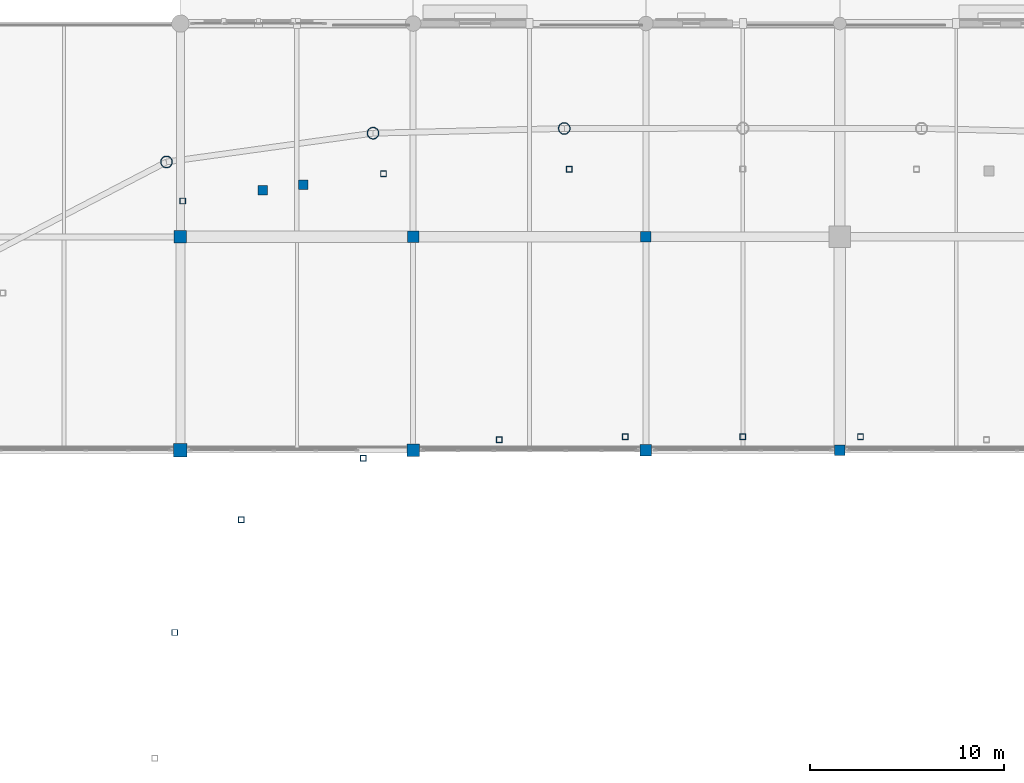
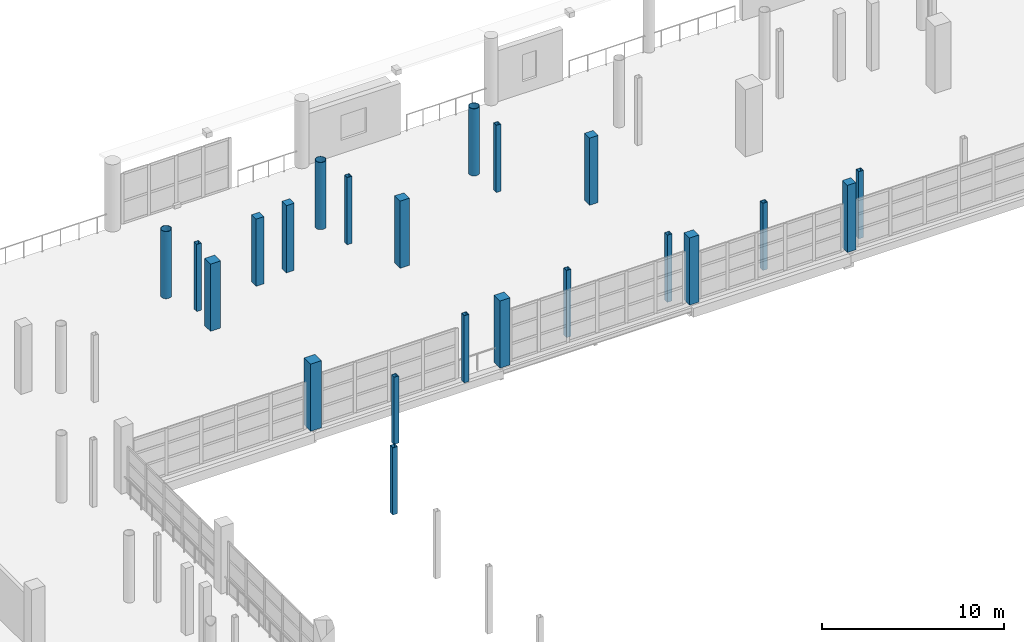
# One storey, part 12 of 118: 22 columns.
"""IFC4 building model written with IfcOpenShell, lengths in metres."""

from ifc_helpers import new_model, si_unit, direction, frame, origin, origin_2d, place, context, subcontext, project, spatial, rectangle, hollow_rectangle, hollow_circle, extrude, material, material_profile, profile_set, type_object, element, save


model = new_model("IFC4")

# Units and contexts
model_context = context("Model", 3, precision=1e-05, world=origin(), true_north=direction((0.0, 1.0)))
body_context = subcontext(model_context, "Body", "Model", "MODEL_VIEW")
ifc_project = project(units=[si_unit("LENGTHUNIT", "METRE"), si_unit("AREAUNIT", "SQUARE_METRE"), si_unit("VOLUMEUNIT", "CUBIC_METRE"), si_unit("PLANEANGLEUNIT", "RADIAN"), si_unit("MASSUNIT", "GRAM", prefix="KILO")], contexts=[model_context])

# Site, building, storey
site_placement = place(None, origin())
site = spatial("IfcSite", under=ifc_project, at=site_placement, CompositionType="ELEMENT")
building_placement = place(site_placement, origin())
building = spatial("IfcBuilding", under=site, at=building_placement, Name="Luwafu Chhajja Arena", CompositionType="ELEMENT")
storey_placement = place(building_placement, frame((0.0, 0.0, 10.199951171875)))
storey = spatial("IfcBuildingStorey", under=building, at=storey_placement, Name="L02", CompositionType="ELEMENT", Elevation=10.199951171875)

# Columns
ifc_material_1 = material(Name="Concrete C35/45", Category="concrete")
ifc_material_profile_1 = material_profile(ifc_material_1, rectangle(XDim=0.550048828125, YDim=0.550048828125, at=origin_2d()), Name="RC 550x550")
ifc_profile_set_1 = profile_set([ifc_material_profile_1], Name="Concrete C35/45")
column_type_1 = type_object("IfcColumnType", Name="Gallery Column RC 550", PredefinedType="COLUMN", material=ifc_profile_set_1)
for number, where, z_axis, x_axis, name in (
    (1, (94.0, 88.0, 0.0), (0.0, 0.0, 1.0), (1.0, 0.0, 0.0), "L02 Grid Column 9/J"),
    (2, (104.0, 77.0, 0.0), (0.0, 0.0, 1.0), (1.0, 0.0, 0.0), "L02 Grid Column 10/H"),
):
    element("IfcColumn", number, at=place(storey_placement, frame(where, z_axis=z_axis, x_axis=x_axis)), inside=storey, type_object=column_type_1, Name=name, PredefinedType="COLUMN", context=body_context, shape_type="SweptSolid", body=[
        extrude(rectangle(XDim=0.550048828125, YDim=0.550048828125, at=origin_2d()), origin(), (0.0, 0.0, 1.0), 4.5),
    ])
ifc_material_profile_2 = material_profile(ifc_material_1, rectangle(XDim=0.60009765625, YDim=0.60009765625, at=origin_2d()), Name="RC 600x600")
ifc_profile_set_2 = profile_set([ifc_material_profile_2], Name="Concrete C35/45")
column_type_2 = type_object("IfcColumnType", Name="Mezzanine Column RC 600", PredefinedType="COLUMN", material=ifc_profile_set_2)
for number, where, z_axis, x_axis, name in (
    (3, (82.0, 88.0, 0.0), (0.0, 0.0, 1.0), (1.0, 0.0, 0.0), "L02 Grid Column 8/J"),
    (4, (94.0, 77.0, 0.0), (0.0, 0.0, 1.0), (1.0, 0.0, 0.0), "L02 Grid Column 9/H"),
):
    element("IfcColumn", number, at=place(storey_placement, frame(where, z_axis=z_axis, x_axis=x_axis)), inside=storey, type_object=column_type_2, Name=name, PredefinedType="COLUMN", context=body_context, shape_type="SweptSolid", body=[
        extrude(rectangle(XDim=0.60009765625, YDim=0.60009765625, at=origin_2d()), origin(), (0.0, 0.0, 1.0), 4.5),
    ])
ifc_material_profile_3 = material_profile(ifc_material_1, rectangle(XDim=0.5, YDim=0.5, at=origin_2d()), Name="RC 500x500")
ifc_profile_set_3 = profile_set([ifc_material_profile_3], Name="Concrete C35/45")
column_type_3 = type_object("IfcColumnType", Name="Pavilion Column RC 500", PredefinedType="COLUMN", material=ifc_profile_set_3)
for number, where, z_axis, x_axis, name in (
    (5, (76.332763671875, 90.693115234375, 0.0), (0.0, 0.0, 1.0), (1.0, 0.0, 0.0), "L02 Vomitory Stack Column VU11A"),
    (6, (74.251953125, 90.4091796875, 0.0), (0.0, 0.0, 1.0), (1.0, 0.0, 0.0), "L02 Vomitory Stack Column VU11B"),
):
    element("IfcColumn", number, at=place(storey_placement, frame(where, z_axis=z_axis, x_axis=x_axis)), inside=storey, type_object=column_type_3, Name=name, PredefinedType="COLUMN", context=body_context, shape_type="SweptSolid", body=[
        extrude(rectangle(XDim=0.5, YDim=0.5, at=origin_2d()), origin(), (0.0, 0.0, 1.0), 4.5),
    ])
ifc_material_2 = material(Name="Steel S355", Category="steel")
ifc_material_profile_4 = material_profile(ifc_material_2, hollow_circle(Radius=0.304931640625, WallThickness=0.02490234375, at=origin_2d()), Name="CHS 610x25")
ifc_profile_set_4 = profile_set([ifc_material_profile_4], Name="Steel S355")
column_type_4 = type_object("IfcColumnType", Name="Steel Bowl Drum Column CHS 610", PredefinedType="COLUMN", material=ifc_profile_set_4)
for number, where, z_axis, x_axis, name in (
    (7, (89.792724609375, 93.588134765625, 0.0), (0.0, 0.0, 1.0), (1.0, 0.0, 0.0), "L02 Bowl Drum Column D10"),
    (8, (79.932861328125, 93.3447265625, 0.0), (0.0, 0.0, 1.0), (1.0, 0.0, 0.0), "L02 Bowl Drum Column D11"),
    (9, (69.281982421875, 91.86279296875, 0.0), (0.0, 0.0, 1.0), (1.0, 0.0, 0.0), "L02 Bowl Drum Column D12"),
):
    element("IfcColumn", number, at=place(storey_placement, frame(where, z_axis=z_axis, x_axis=x_axis)), inside=storey, type_object=column_type_4, Name=name, PredefinedType="COLUMN", context=body_context, shape_type="SweptSolid", body=[
        extrude(hollow_circle(Radius=0.304931640625, WallThickness=0.02490234375, at=origin_2d()), origin(), (0.0, 0.0, 1.0), 4.5),
    ])
ifc_material_profile_5 = material_profile(ifc_material_2, hollow_rectangle(XDim=0.300048828125, YDim=0.300048828125, WallThickness=0.01611328125, at=origin_2d()), Name="SHS 300x300x16")
ifc_profile_set_5 = profile_set([ifc_material_profile_5], Name="Steel S355")
column_type_5 = type_object("IfcColumnType", Name="Steel Gallery Post SHS 300", PredefinedType="COLUMN", material=ifc_profile_set_5)
for number, where, z_axis, x_axis, name in (
    (10, (105.065185546875, 77.6923828125, 0.0), (0.0, 0.0, 1.0), (1.0, 0.0, 0.0), "L02 Upper Bowl Raker Column UI08"),
    (11, (99.0, 77.699951171875, 0.0), (0.0, 0.0, 1.0), (1.0, 0.0, 0.0), "L02 Upper Bowl Raker Column UI09"),
    (12, (92.934814453125, 77.6923828125, 0.0), (0.0, 0.0, 1.0), (1.0, 0.0, 0.0), "L02 Upper Bowl Raker Column UI10"),
    (13, (86.439697265625, 77.536865234375, 0.0), (0.0, 0.0, 1.0), (1.0, 0.0, 0.0), "L02 Upper Bowl Raker Column UI11"),
    (14, (79.42333984375, 76.589111328125, 0.0), (0.0, 0.0, 1.0), (1.0, 0.0, 0.0), "L02 Upper Bowl Raker Column UI12"),
    (15, (73.14013671875, 73.409912109375, 0.0), (0.0, 0.0, 1.0), (1.0, 0.0, 0.0), "L02 Upper Bowl Raker Column UI13"),
    (16, (69.701416015625, 67.600341796875, 0.0), (0.0, 0.0, 1.0), (1.0, 0.0, 0.0), "L02 Upper Bowl Raker Column UI14"),
    (17, (90.051513671875, 91.48876953125, 0.0), (0.0, 0.0, 1.0), (1.0, 0.0, 0.0), "L02 Upper Bowl Raker Column UO10"),
    (18, (80.46826171875, 91.2568359375, 0.0), (0.0, 0.0, 1.0), (1.0, 0.0, 0.0), "L02 Upper Bowl Raker Column UO11"),
    (19, (70.116455078125, 89.845458984375, 0.0), (0.0, 0.0, 1.0), (1.0, 0.0, 0.0), "L02 Upper Bowl Raker Column UO12"),
):
    element("IfcColumn", number, at=place(storey_placement, frame(where, z_axis=z_axis, x_axis=x_axis)), inside=storey, type_object=column_type_5, Name=name, PredefinedType="COLUMN", context=body_context, shape_type="SweptSolid", body=[
        extrude(hollow_rectangle(XDim=0.300048828125, YDim=0.300048828125, WallThickness=0.01611328125, at=origin_2d()), origin(), (0.0, 0.0, 1.0), 4.5),
    ])
ifc_material_profile_6 = material_profile(ifc_material_1, rectangle(XDim=0.64990234375, YDim=0.64990234375, at=origin_2d()), Name="RC 650x650")
ifc_profile_set_6 = profile_set([ifc_material_profile_6], Name="Concrete C35/45")
column_type_6 = type_object("IfcColumnType", Name="Upper Wing Column RC 650", PredefinedType="COLUMN", material=ifc_profile_set_6)
for number, where, z_axis, x_axis, name in (
    (20, (70.0, 88.0, 0.0), (0.0, 0.0, 1.0), (1.0, 0.0, 0.0), "L02 Grid Column 7/J"),
    (21, (82.0, 77.0, 0.0), (0.0, 0.0, 1.0), (1.0, 0.0, 0.0), "L02 Grid Column 8/H"),
):
    element("IfcColumn", number, at=place(storey_placement, frame(where, z_axis=z_axis, x_axis=x_axis)), inside=storey, type_object=column_type_6, Name=name, PredefinedType="COLUMN", context=body_context, shape_type="SweptSolid", body=[
        extrude(rectangle(XDim=0.64990234375, YDim=0.64990234375, at=origin_2d()), origin(), (0.0, 0.0, 1.0), 4.5),
    ])
ifc_material_profile_7 = material_profile(ifc_material_1, rectangle(XDim=0.699951171875, YDim=0.699951171875, at=origin_2d()), Name="RC 700x700")
ifc_profile_set_7 = profile_set([ifc_material_profile_7], Name="Concrete C35/45")
column_type_7 = type_object("IfcColumnType", Name="Wing Frame Column RC 700", PredefinedType="COLUMN", material=ifc_profile_set_7)
column_placement = place(storey_placement, frame((70.0, 77.0, 0.0), z_axis=(0.0, 0.0, 1.0), x_axis=(1.0, 0.0, 0.0)))
element("IfcColumn", 22, at=column_placement, inside=storey, type_object=column_type_7, Name="L02 Grid Column 7/H", PredefinedType="COLUMN", context=body_context, shape_type="SweptSolid", body=[
    extrude(rectangle(XDim=0.699951171875, YDim=0.699951171875, at=origin_2d()), origin(), (0.0, 0.0, 1.0), 4.5),
])

save(model, "model.ifc")
